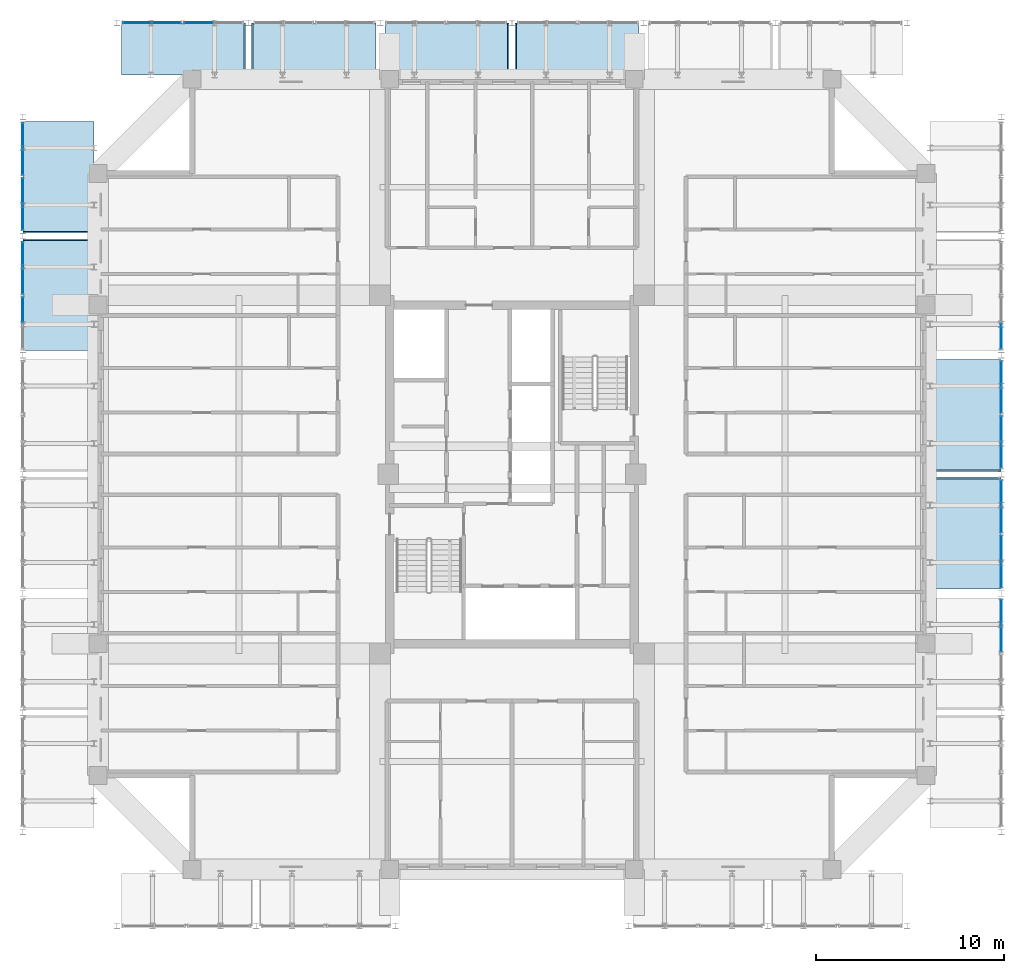
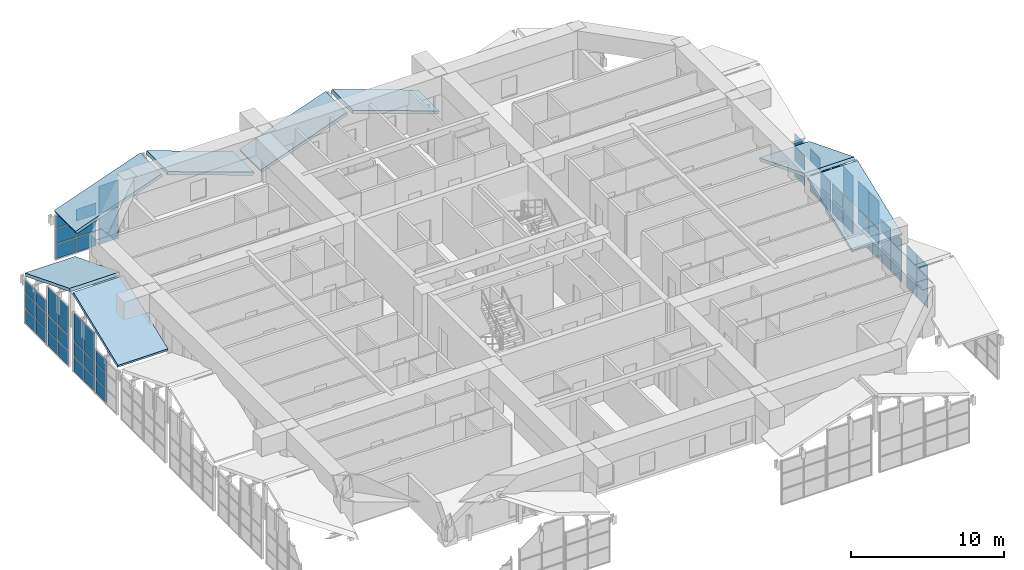
# One storey, part 34 of 45: 63 plates, 8 slabs, 12 elements without a shape of their own.
"""IFC4 building model written with IfcOpenShell, lengths in metres."""

from ifc_helpers import new_model, si_unit, direction, frame, origin, origin_2d, place, context, subcontext, project, spatial, polyline, rectangle, outline, extrude, source, transform, mapped, material, layer, layer_set, type_object, element, aggregate, save


model = new_model("IFC4")

# Units and contexts
model_context = context("Model", 3, precision=1e-05, world=origin(), true_north=direction((0.0, 1.0)))
body_context = subcontext(model_context, "Body", "Model", "MODEL_VIEW")
ifc_project = project(units=[si_unit("LENGTHUNIT", "METRE"), si_unit("AREAUNIT", "SQUARE_METRE"), si_unit("VOLUMEUNIT", "CUBIC_METRE"), si_unit("PLANEANGLEUNIT", "RADIAN"), si_unit("MASSUNIT", "GRAM", prefix="KILO")], contexts=[model_context])

# Site, building, storey
site_placement = place(None, origin())
site = spatial("IfcSite", under=ifc_project, at=site_placement, CompositionType="ELEMENT")
building_placement = place(site_placement, origin())
building = spatial("IfcBuilding", under=site, at=building_placement, Name="Saelheon Loggia Tower", CompositionType="ELEMENT")
storey_placement = place(building_placement, frame((0.0, 0.0, 152.199951171875)))
storey = spatial("IfcBuildingStorey", under=building, at=storey_placement, Name="L48", CompositionType="ELEMENT", Elevation=152.199951171875)

# Slabs
ifc_material_1 = material(Name="Precast Concrete C45/55", Category="concrete")
ifc_layer_1 = layer(ifc_material_1, 0.239990234375)
ifc_layer_set_1 = layer_set([ifc_layer_1], Name="Precast Concrete C45/55")
slab_type = type_object("IfcSlabType", Name="Slab_WaveRoof_240", PredefinedType="ROOF", material=ifc_layer_set_1)
slab_placement = place(storey_placement, frame((12.0, 33.5732421875, 0.544677734375), z_axis=(0.0, -0.36719303315, 0.930144760995), x_axis=(1.0, 0.0, 0.0)))
element("IfcSlab", 1, at=slab_placement, inside=storey, type_object=slab_type, Name="Tier 1 Wave Crest Roof Facet W 05", PredefinedType="ROOF", context=body_context, shape_type="SweptSolid", body=[
    extrude(outline(polyline([(0.0, 0.0), (3.780029296875, 0.0), (3.780029296875, 6.293123253998158), (0.0, 6.293123253998158), (0.0, 0.0)])), origin(), (0.0, 0.0, -1.0), 0.239990234375),
])
for number, where, z_axis, x_axis, name in (
    (2, (12.0, 39.90673828125, 2.85546875), (0.0, 0.36720628368, 0.930139529977), (1.0, 0.0, 0.0), "Tier 1 Wave Crest Roof Facet W 06"),
    (3, (60.219970703125, 20.90673828125, 0.544677734375), (0.0, -0.36720628368, 0.930139529977), (1.0, 0.0, 0.0), "Tier 1 Wave Crest Roof Facet E 03"),
    (4, (60.219970703125, 27.239990234375, 2.85546875), (0.0, 0.36720628368, 0.930139529977), (1.0, 0.0, 0.0), "Tier 1 Wave Crest Roof Facet E 04"),
):
    element("IfcSlab", number, at=place(storey_placement, frame(where, z_axis=z_axis, x_axis=x_axis)), inside=storey, type_object=slab_type, Name=name, PredefinedType="ROOF", context=body_context, shape_type="SweptSolid", body=[
        extrude(outline(polyline([(0.0, 0.0), (3.780029296875, 0.0), (3.780029296875, 6.292896168513408), (0.0, 6.292896168513408), (0.0, 0.0)])), origin(), (0.0, 0.0, -1.0), 0.239990234375),
    ])
for number, where, z_axis, x_axis, name in (
    (5, (17.239990234375, 48.219970703125, 0.53564453125), (-0.336340864736, 0.0, 0.941740315962), (0.0, 1.0, 0.0), "Tier 1 Wave Crest Roof Facet N 01"),
    (6, (24.239990234375, 48.219970703125, 2.8642578125), (0.336340864736, 0.0, 0.941740315962), (0.0, 1.0, 0.0), "Tier 1 Wave Crest Roof Facet N 02"),
    (7, (31.239990234375, 48.219970703125, 0.53564453125), (-0.336340864736, 0.0, 0.941740315962), (0.0, 1.0, 0.0), "Tier 1 Wave Crest Roof Facet N 03"),
    (8, (38.239990234375, 48.219970703125, 2.8642578125), (0.336340864736, 0.0, 0.941740315962), (0.0, 1.0, 0.0), "Tier 1 Wave Crest Roof Facet N 04"),
):
    element("IfcSlab", number, at=place(storey_placement, frame(where, z_axis=z_axis, x_axis=x_axis)), inside=storey, type_object=slab_type, Name=name, PredefinedType="ROOF", context=body_context, shape_type="SweptSolid", body=[
        extrude(outline(polyline([(0.0, 0.0), (2.780029296875, 0.0), (2.780029296875, -6.923373058090642), (0.0, -6.923373058090642), (0.0, 0.0)])), origin(), (0.0, 0.0, -1.0), 0.239990234375),
    ])

# Curtain wall, plate
ifc_material_2 = material(Name="Bronze-Anodised Aluminium and Fritted Ceramic Screen", Category="aluminium")
ifc_layer_2 = layer(ifc_material_2, 0.219970703125)
ifc_layer_set_2 = layer_set([ifc_layer_2], Name="Bronze-Anodised Aluminium and Fritted Ceramic Screen")
curtain_wall_type = type_object("IfcCurtainWallType", Name="CW_CrownScreen", PredefinedType="NOTDEFINED", material=ifc_layer_set_2)
curtain_wall_1_placement = place(storey_placement, origin())
curtain_wall_1 = element("IfcCurtainWall", 9, at=curtain_wall_1_placement, inside=storey, type_object=curtain_wall_type, Name="Tier 1 Wave Crest Glazing W 05-1", PredefinedType="NOTDEFINED")
ifc_material_3 = material(Name="Bronze Ceramic Fritted Spandrel Panel", Category="aluminium")
ifc_layer_3 = layer(ifc_material_3, 0.0380859375)
ifc_layer_set_3 = layer_set([ifc_layer_3], Name="Bronze Ceramic Fritted Spandrel Panel")
plate_type = type_object("IfcPlateType", Name="CW_CrownScreen_Panel", PredefinedType="CURTAIN_PANEL", material=ifc_layer_set_3)
shared_shape_1 = source(origin(), body_context, "Body", "SweptSolid", [
    extrude(rectangle(XDim=1.328369140625, YDim=0.0380859375, at=origin_2d()), origin(), (0.0, 0.0, 1.0), 1.14501953125),
])
plate_1_placement = place(storey_placement, frame((12.0, 35.73583984375, -3.3798828125), z_axis=(0.0, 0.0, 1.0), x_axis=(0.0, 1.0, 0.0)))
plate_1 = element("IfcPlate", 10, at=plate_1_placement, type_object=plate_type, Name="CW6 panel 2.1", PredefinedType="CURTAIN_PANEL", context=body_context, shape_type="MappedRepresentation", body=[
    mapped(shared_shape_1, transform((0.0, 0.0, 0.0), scale=1.0)),
])

# Curtain wall, plates
curtain_wall_2_placement = place(storey_placement, origin())
curtain_wall_2 = element("IfcCurtainWall", 11, at=curtain_wall_2_placement, inside=storey, type_object=curtain_wall_type, Name="Tier 1 Wave Crest Glazing W 05-2", PredefinedType="NOTDEFINED")
plate_2_placement = place(storey_placement, frame((12.0, 37.26416015625, -3.3798828125), z_axis=(0.0, 0.0, 1.0), x_axis=(0.0, 1.0, 0.0)))
plate_2 = element("IfcPlate", 12, at=plate_2_placement, type_object=plate_type, Name="CW6 panel 1.1", PredefinedType="CURTAIN_PANEL", context=body_context, shape_type="MappedRepresentation", body=[
    mapped(shared_shape_1, transform((0.0, 0.0, 0.0), scale=1.0)),
])
plate_3_placement = place(storey_placement, frame((12.0, 38.66259765625, -3.3798828125), z_axis=(0.0, 0.0, 1.0), x_axis=(0.0, 1.0, 0.0)))
plate_3 = element("IfcPlate", 13, at=plate_3_placement, type_object=plate_type, Name="CW6 panel 2.1", PredefinedType="CURTAIN_PANEL", context=body_context, shape_type="MappedRepresentation", body=[
    mapped(shared_shape_1, transform((0.0, 0.0, 0.0), scale=1.0)),
])

curtain_wall_3_placement = place(storey_placement, origin())
curtain_wall_3 = element("IfcCurtainWall", 14, at=curtain_wall_3_placement, inside=storey, type_object=curtain_wall_type, Name="Tier 1 Wave Crest Glazing W 06-1", PredefinedType="NOTDEFINED")
plate_4_placement = place(storey_placement, frame((12.0, 40.6708984375, -3.3798828125), z_axis=(0.0, 0.0, 1.0), x_axis=(0.0, 1.0, 0.0)))
plate_4 = element("IfcPlate", 15, at=plate_4_placement, type_object=plate_type, Name="CW6 panel 1.1", PredefinedType="CURTAIN_PANEL", context=body_context, shape_type="MappedRepresentation", body=[
    mapped(shared_shape_1, transform((0.0, 0.0, 0.0), scale=1.0)),
])
plate_5_placement = place(storey_placement, frame((12.0, 42.069091796875, -3.3798828125), z_axis=(0.0, 0.0, 1.0), x_axis=(0.0, 1.0, 0.0)))
plate_5 = element("IfcPlate", 16, at=plate_5_placement, type_object=plate_type, Name="CW6 panel 2.1", PredefinedType="CURTAIN_PANEL", context=body_context, shape_type="MappedRepresentation", body=[
    mapped(shared_shape_1, transform((0.0, 0.0, 0.0), scale=1.0)),
])

curtain_wall_4_placement = place(storey_placement, origin())
curtain_wall_4 = element("IfcCurtainWall", 17, at=curtain_wall_4_placement, inside=storey, type_object=curtain_wall_type, Name="Tier 1 Wave Crest Glazing W 06-2", PredefinedType="NOTDEFINED")
plate_6_placement = place(storey_placement, frame((12.0, 43.597412109375, -3.3798828125), z_axis=(0.0, 0.0, 1.0), x_axis=(0.0, 1.0, 0.0)))
plate_6 = element("IfcPlate", 18, at=plate_6_placement, type_object=plate_type, Name="CW6 panel 1.1", PredefinedType="CURTAIN_PANEL", context=body_context, shape_type="MappedRepresentation", body=[
    mapped(shared_shape_1, transform((0.0, 0.0, 0.0), scale=1.0)),
])
plate_7_placement = place(storey_placement, frame((12.0, 44.995849609375, -3.3798828125), z_axis=(0.0, 0.0, 1.0), x_axis=(0.0, 1.0, 0.0)))
plate_7 = element("IfcPlate", 19, at=plate_7_placement, type_object=plate_type, Name="CW6 panel 2.1", PredefinedType="CURTAIN_PANEL", context=body_context, shape_type="MappedRepresentation", body=[
    mapped(shared_shape_1, transform((0.0, 0.0, 0.0), scale=1.0)),
])

curtain_wall_5_placement = place(storey_placement, origin())
curtain_wall_5 = element("IfcCurtainWall", 20, at=curtain_wall_5_placement, inside=storey, type_object=curtain_wall_type, Name="Tier 1 Wave Crest Glazing E 02-2", PredefinedType="NOTDEFINED")
plate_8_placement = place(storey_placement, frame((64.0, 18.26416015625, -3.3798828125), z_axis=(0.0, 0.0, 1.0), x_axis=(0.0, 1.0, 0.0)))
plate_8 = element("IfcPlate", 21, at=plate_8_placement, type_object=plate_type, Name="CW6 panel 1.1", PredefinedType="CURTAIN_PANEL", context=body_context, shape_type="MappedRepresentation", body=[
    mapped(shared_shape_1, transform((0.0, 0.0, 0.0), scale=1.0)),
])
plate_9_placement = place(storey_placement, frame((64.0, 19.66259765625, -3.3798828125), z_axis=(0.0, 0.0, 1.0), x_axis=(0.0, 1.0, 0.0)))
plate_9 = element("IfcPlate", 22, at=plate_9_placement, type_object=plate_type, Name="CW6 panel 2.1", PredefinedType="CURTAIN_PANEL", context=body_context, shape_type="MappedRepresentation", body=[
    mapped(shared_shape_1, transform((0.0, 0.0, 0.0), scale=1.0)),
])

curtain_wall_6_placement = place(storey_placement, origin())
curtain_wall_6 = element("IfcCurtainWall", 23, at=curtain_wall_6_placement, inside=storey, type_object=curtain_wall_type, Name="Tier 1 Wave Crest Glazing E 03-1", PredefinedType="NOTDEFINED")
plate_10_placement = place(storey_placement, frame((64.0, 21.6708984375, -3.3798828125), z_axis=(0.0, 0.0, 1.0), x_axis=(0.0, 1.0, 0.0)))
plate_10 = element("IfcPlate", 24, at=plate_10_placement, type_object=plate_type, Name="CW6 panel 1.1", PredefinedType="CURTAIN_PANEL", context=body_context, shape_type="MappedRepresentation", body=[
    mapped(shared_shape_1, transform((0.0, 0.0, 0.0), scale=1.0)),
])
plate_11_placement = place(storey_placement, frame((64.0, 23.069091796875, -3.3798828125), z_axis=(0.0, 0.0, 1.0), x_axis=(0.0, 1.0, 0.0)))
plate_11 = element("IfcPlate", 25, at=plate_11_placement, type_object=plate_type, Name="CW6 panel 2.1", PredefinedType="CURTAIN_PANEL", context=body_context, shape_type="MappedRepresentation", body=[
    mapped(shared_shape_1, transform((0.0, 0.0, 0.0), scale=1.0)),
])

curtain_wall_7_placement = place(storey_placement, origin())
curtain_wall_7 = element("IfcCurtainWall", 26, at=curtain_wall_7_placement, inside=storey, type_object=curtain_wall_type, Name="Tier 1 Wave Crest Glazing E 03-2", PredefinedType="NOTDEFINED")
plate_12_placement = place(storey_placement, frame((64.0, 24.59765625, -3.3798828125), z_axis=(0.0, 0.0, 1.0), x_axis=(0.0, 1.0, 0.0)))
plate_12 = element("IfcPlate", 27, at=plate_12_placement, type_object=plate_type, Name="CW6 panel 1.1", PredefinedType="CURTAIN_PANEL", context=body_context, shape_type="MappedRepresentation", body=[
    mapped(shared_shape_1, transform((0.0, 0.0, 0.0), scale=1.0)),
])
plate_13_placement = place(storey_placement, frame((64.0, 25.995849609375, -3.3798828125), z_axis=(0.0, 0.0, 1.0), x_axis=(0.0, 1.0, 0.0)))
plate_13 = element("IfcPlate", 28, at=plate_13_placement, type_object=plate_type, Name="CW6 panel 2.1", PredefinedType="CURTAIN_PANEL", context=body_context, shape_type="MappedRepresentation", body=[
    mapped(shared_shape_1, transform((0.0, 0.0, 0.0), scale=1.0)),
])

curtain_wall_8_placement = place(storey_placement, origin())
curtain_wall_8 = element("IfcCurtainWall", 29, at=curtain_wall_8_placement, inside=storey, type_object=curtain_wall_type, Name="Tier 1 Wave Crest Glazing E 04-1", PredefinedType="NOTDEFINED")
plate_14_placement = place(storey_placement, frame((64.0, 28.004150390625, -3.3798828125), z_axis=(0.0, 0.0, 1.0), x_axis=(0.0, 1.0, 0.0)))
plate_14 = element("IfcPlate", 30, at=plate_14_placement, type_object=plate_type, Name="CW6 panel 1.1", PredefinedType="CURTAIN_PANEL", context=body_context, shape_type="MappedRepresentation", body=[
    mapped(shared_shape_1, transform((0.0, 0.0, 0.0), scale=1.0)),
])
plate_15_placement = place(storey_placement, frame((64.0, 29.40234375, -3.3798828125), z_axis=(0.0, 0.0, 1.0), x_axis=(0.0, 1.0, 0.0)))
plate_15 = element("IfcPlate", 31, at=plate_15_placement, type_object=plate_type, Name="CW6 panel 2.1", PredefinedType="CURTAIN_PANEL", context=body_context, shape_type="MappedRepresentation", body=[
    mapped(shared_shape_1, transform((0.0, 0.0, 0.0), scale=1.0)),
])

curtain_wall_9_placement = place(storey_placement, origin())
curtain_wall_9 = element("IfcCurtainWall", 32, at=curtain_wall_9_placement, inside=storey, type_object=curtain_wall_type, Name="Tier 1 Wave Crest Glazing E 04-2", PredefinedType="NOTDEFINED")
plate_16_placement = place(storey_placement, frame((64.0, 30.9306640625, -3.3798828125), z_axis=(0.0, 0.0, 1.0), x_axis=(0.0, 1.0, 0.0)))
plate_16 = element("IfcPlate", 33, at=plate_16_placement, type_object=plate_type, Name="CW6 panel 1.1", PredefinedType="CURTAIN_PANEL", context=body_context, shape_type="MappedRepresentation", body=[
    mapped(shared_shape_1, transform((0.0, 0.0, 0.0), scale=1.0)),
])
plate_17_placement = place(storey_placement, frame((64.0, 32.3291015625, -3.3798828125), z_axis=(0.0, 0.0, 1.0), x_axis=(0.0, 1.0, 0.0)))
plate_17 = element("IfcPlate", 34, at=plate_17_placement, type_object=plate_type, Name="CW6 panel 2.1", PredefinedType="CURTAIN_PANEL", context=body_context, shape_type="MappedRepresentation", body=[
    mapped(shared_shape_1, transform((0.0, 0.0, 0.0), scale=1.0)),
])

# Curtain wall, plate
curtain_wall_10_placement = place(storey_placement, origin())
curtain_wall_10 = element("IfcCurtainWall", 35, at=curtain_wall_10_placement, inside=storey, type_object=curtain_wall_type, Name="Tier 1 Wave Crest Glazing E 05-1", PredefinedType="NOTDEFINED")
plate_18_placement = place(storey_placement, frame((64.0, 34.33740234375, -3.3798828125), z_axis=(0.0, 0.0, 1.0), x_axis=(0.0, 1.0, 0.0)))
plate_18 = element("IfcPlate", 36, at=plate_18_placement, type_object=plate_type, Name="CW6 panel 1.1", PredefinedType="CURTAIN_PANEL", context=body_context, shape_type="MappedRepresentation", body=[
    mapped(shared_shape_1, transform((0.0, 0.0, 0.0), scale=1.0)),
])

# Plate
shared_shape_2 = source(origin(), body_context, "Body", "SweptSolid", [
    extrude(rectangle(XDim=1.328369140625, YDim=0.0380859375, at=origin_2d()), origin(), (0.0, 0.0, 1.0), 1.179931640625),
])
plate_19_placement = place(storey_placement, frame((12.0, 35.73583984375, -2.1650390625), z_axis=(0.0, 0.0, 1.0), x_axis=(0.0, 1.0, 0.0)))
plate_19 = element("IfcPlate", 37, at=plate_19_placement, type_object=plate_type, Name="CW6 panel 2.2", PredefinedType="CURTAIN_PANEL", context=body_context, shape_type="MappedRepresentation", body=[
    mapped(shared_shape_2, transform((0.0, 0.0, 0.0), scale=1.0)),
])

plate_20_placement = place(storey_placement, frame((12.0, 37.26416015625, -2.1650390625), z_axis=(0.0, 0.0, 1.0), x_axis=(0.0, 1.0, 0.0)))
plate_20 = element("IfcPlate", 38, at=plate_20_placement, type_object=plate_type, Name="CW6 panel 1.2", PredefinedType="CURTAIN_PANEL", context=body_context, shape_type="MappedRepresentation", body=[
    mapped(shared_shape_2, transform((0.0, 0.0, 0.0), scale=1.0)),
])

plate_21_placement = place(storey_placement, frame((12.0, 38.66259765625, -2.1650390625), z_axis=(0.0, 0.0, 1.0), x_axis=(0.0, 1.0, 0.0)))
plate_21 = element("IfcPlate", 39, at=plate_21_placement, type_object=plate_type, Name="CW6 panel 2.2", PredefinedType="CURTAIN_PANEL", context=body_context, shape_type="MappedRepresentation", body=[
    mapped(shared_shape_2, transform((0.0, 0.0, 0.0), scale=1.0)),
])

plate_22_placement = place(storey_placement, frame((12.0, 40.6708984375, -2.1650390625), z_axis=(0.0, 0.0, 1.0), x_axis=(0.0, 1.0, 0.0)))
plate_22 = element("IfcPlate", 40, at=plate_22_placement, type_object=plate_type, Name="CW6 panel 1.2", PredefinedType="CURTAIN_PANEL", context=body_context, shape_type="MappedRepresentation", body=[
    mapped(shared_shape_2, transform((0.0, 0.0, 0.0), scale=1.0)),
])

plate_23_placement = place(storey_placement, frame((12.0, 42.069091796875, -2.1650390625), z_axis=(0.0, 0.0, 1.0), x_axis=(0.0, 1.0, 0.0)))
plate_23 = element("IfcPlate", 41, at=plate_23_placement, type_object=plate_type, Name="CW6 panel 2.2", PredefinedType="CURTAIN_PANEL", context=body_context, shape_type="MappedRepresentation", body=[
    mapped(shared_shape_2, transform((0.0, 0.0, 0.0), scale=1.0)),
])

plate_24_placement = place(storey_placement, frame((12.0, 43.597412109375, -2.1650390625), z_axis=(0.0, 0.0, 1.0), x_axis=(0.0, 1.0, 0.0)))
plate_24 = element("IfcPlate", 42, at=plate_24_placement, type_object=plate_type, Name="CW6 panel 1.2", PredefinedType="CURTAIN_PANEL", context=body_context, shape_type="MappedRepresentation", body=[
    mapped(shared_shape_2, transform((0.0, 0.0, 0.0), scale=1.0)),
])

plate_25_placement = place(storey_placement, frame((12.0, 44.995849609375, -2.1650390625), z_axis=(0.0, 0.0, 1.0), x_axis=(0.0, 1.0, 0.0)))
plate_25 = element("IfcPlate", 43, at=plate_25_placement, type_object=plate_type, Name="CW6 panel 2.2", PredefinedType="CURTAIN_PANEL", context=body_context, shape_type="MappedRepresentation", body=[
    mapped(shared_shape_2, transform((0.0, 0.0, 0.0), scale=1.0)),
])

plate_26_placement = place(storey_placement, frame((64.0, 18.26416015625, -2.1650390625), z_axis=(0.0, 0.0, 1.0), x_axis=(0.0, 1.0, 0.0)))
plate_26 = element("IfcPlate", 44, at=plate_26_placement, type_object=plate_type, Name="CW6 panel 1.2", PredefinedType="CURTAIN_PANEL", context=body_context, shape_type="MappedRepresentation", body=[
    mapped(shared_shape_2, transform((0.0, 0.0, 0.0), scale=1.0)),
])

plate_27_placement = place(storey_placement, frame((64.0, 19.66259765625, -2.1650390625), z_axis=(0.0, 0.0, 1.0), x_axis=(0.0, 1.0, 0.0)))
plate_27 = element("IfcPlate", 45, at=plate_27_placement, type_object=plate_type, Name="CW6 panel 2.2", PredefinedType="CURTAIN_PANEL", context=body_context, shape_type="MappedRepresentation", body=[
    mapped(shared_shape_2, transform((0.0, 0.0, 0.0), scale=1.0)),
])

plate_28_placement = place(storey_placement, frame((64.0, 21.6708984375, -2.1650390625), z_axis=(0.0, 0.0, 1.0), x_axis=(0.0, 1.0, 0.0)))
plate_28 = element("IfcPlate", 46, at=plate_28_placement, type_object=plate_type, Name="CW6 panel 1.2", PredefinedType="CURTAIN_PANEL", context=body_context, shape_type="MappedRepresentation", body=[
    mapped(shared_shape_2, transform((0.0, 0.0, 0.0), scale=1.0)),
])

plate_29_placement = place(storey_placement, frame((64.0, 23.069091796875, -2.1650390625), z_axis=(0.0, 0.0, 1.0), x_axis=(0.0, 1.0, 0.0)))
plate_29 = element("IfcPlate", 47, at=plate_29_placement, type_object=plate_type, Name="CW6 panel 2.2", PredefinedType="CURTAIN_PANEL", context=body_context, shape_type="MappedRepresentation", body=[
    mapped(shared_shape_2, transform((0.0, 0.0, 0.0), scale=1.0)),
])

plate_30_placement = place(storey_placement, frame((64.0, 24.59765625, -2.1650390625), z_axis=(0.0, 0.0, 1.0), x_axis=(0.0, 1.0, 0.0)))
plate_30 = element("IfcPlate", 48, at=plate_30_placement, type_object=plate_type, Name="CW6 panel 1.2", PredefinedType="CURTAIN_PANEL", context=body_context, shape_type="MappedRepresentation", body=[
    mapped(shared_shape_2, transform((0.0, 0.0, 0.0), scale=1.0)),
])

plate_31_placement = place(storey_placement, frame((64.0, 25.995849609375, -2.1650390625), z_axis=(0.0, 0.0, 1.0), x_axis=(0.0, 1.0, 0.0)))
plate_31 = element("IfcPlate", 49, at=plate_31_placement, type_object=plate_type, Name="CW6 panel 2.2", PredefinedType="CURTAIN_PANEL", context=body_context, shape_type="MappedRepresentation", body=[
    mapped(shared_shape_2, transform((0.0, 0.0, 0.0), scale=1.0)),
])

plate_32_placement = place(storey_placement, frame((64.0, 28.004150390625, -2.1650390625), z_axis=(0.0, 0.0, 1.0), x_axis=(0.0, 1.0, 0.0)))
plate_32 = element("IfcPlate", 50, at=plate_32_placement, type_object=plate_type, Name="CW6 panel 1.2", PredefinedType="CURTAIN_PANEL", context=body_context, shape_type="MappedRepresentation", body=[
    mapped(shared_shape_2, transform((0.0, 0.0, 0.0), scale=1.0)),
])

plate_33_placement = place(storey_placement, frame((64.0, 29.40234375, -2.1650390625), z_axis=(0.0, 0.0, 1.0), x_axis=(0.0, 1.0, 0.0)))
plate_33 = element("IfcPlate", 51, at=plate_33_placement, type_object=plate_type, Name="CW6 panel 2.2", PredefinedType="CURTAIN_PANEL", context=body_context, shape_type="MappedRepresentation", body=[
    mapped(shared_shape_2, transform((0.0, 0.0, 0.0), scale=1.0)),
])

plate_34_placement = place(storey_placement, frame((64.0, 30.9306640625, -2.1650390625), z_axis=(0.0, 0.0, 1.0), x_axis=(0.0, 1.0, 0.0)))
plate_34 = element("IfcPlate", 52, at=plate_34_placement, type_object=plate_type, Name="CW6 panel 1.2", PredefinedType="CURTAIN_PANEL", context=body_context, shape_type="MappedRepresentation", body=[
    mapped(shared_shape_2, transform((0.0, 0.0, 0.0), scale=1.0)),
])

plate_35_placement = place(storey_placement, frame((64.0, 32.3291015625, -2.1650390625), z_axis=(0.0, 0.0, 1.0), x_axis=(0.0, 1.0, 0.0)))
plate_35 = element("IfcPlate", 53, at=plate_35_placement, type_object=plate_type, Name="CW6 panel 2.2", PredefinedType="CURTAIN_PANEL", context=body_context, shape_type="MappedRepresentation", body=[
    mapped(shared_shape_2, transform((0.0, 0.0, 0.0), scale=1.0)),
])

plate_36_placement = place(storey_placement, frame((64.0, 34.33740234375, -2.1650390625), z_axis=(0.0, 0.0, 1.0), x_axis=(0.0, 1.0, 0.0)))
plate_36 = element("IfcPlate", 54, at=plate_36_placement, type_object=plate_type, Name="CW6 panel 1.2", PredefinedType="CURTAIN_PANEL", context=body_context, shape_type="MappedRepresentation", body=[
    mapped(shared_shape_2, transform((0.0, 0.0, 0.0), scale=1.0)),
])

shared_shape_3 = source(origin(), body_context, "Body", "SweptSolid", [
    extrude(rectangle(XDim=1.328369140625, YDim=0.0380859375, at=origin_2d()), origin(), (0.0, 0.0, 1.0), 0.955078125),
])
plate_37_placement = place(storey_placement, frame((12.0, 35.73583984375, -0.9150390625), z_axis=(0.0, 0.0, 1.0), x_axis=(0.0, 1.0, 0.0)))
plate_37 = element("IfcPlate", 55, at=plate_37_placement, type_object=plate_type, Name="CW6 panel 2.3", PredefinedType="CURTAIN_PANEL", context=body_context, shape_type="MappedRepresentation", body=[
    mapped(shared_shape_3, transform((0.0, 0.0, 0.0), scale=1.0)),
])

aggregate(curtain_wall_1, [plate_1, plate_19, plate_37])

plate_38_placement = place(storey_placement, frame((12.0, 43.597412109375, -0.9150390625), z_axis=(0.0, 0.0, 1.0), x_axis=(0.0, 1.0, 0.0)))
plate_38 = element("IfcPlate", 56, at=plate_38_placement, type_object=plate_type, Name="CW6 panel 1.3", PredefinedType="CURTAIN_PANEL", context=body_context, shape_type="MappedRepresentation", body=[
    mapped(shared_shape_3, transform((0.0, 0.0, 0.0), scale=1.0)),
])

plate_39_placement = place(storey_placement, frame((12.0, 44.995849609375, -0.9150390625), z_axis=(0.0, 0.0, 1.0), x_axis=(0.0, 1.0, 0.0)))
plate_39 = element("IfcPlate", 57, at=plate_39_placement, type_object=plate_type, Name="CW6 panel 2.3", PredefinedType="CURTAIN_PANEL", context=body_context, shape_type="MappedRepresentation", body=[
    mapped(shared_shape_3, transform((0.0, 0.0, 0.0), scale=1.0)),
])

aggregate(curtain_wall_4, [plate_6, plate_24, plate_38, plate_7, plate_25, plate_39])

plate_40_placement = place(storey_placement, frame((64.0, 18.26416015625, -0.9150390625), z_axis=(0.0, 0.0, 1.0), x_axis=(0.0, 1.0, 0.0)))
plate_40 = element("IfcPlate", 58, at=plate_40_placement, type_object=plate_type, Name="CW6 panel 1.3", PredefinedType="CURTAIN_PANEL", context=body_context, shape_type="MappedRepresentation", body=[
    mapped(shared_shape_3, transform((0.0, 0.0, 0.0), scale=1.0)),
])

plate_41_placement = place(storey_placement, frame((64.0, 19.66259765625, -0.9150390625), z_axis=(0.0, 0.0, 1.0), x_axis=(0.0, 1.0, 0.0)))
plate_41 = element("IfcPlate", 59, at=plate_41_placement, type_object=plate_type, Name="CW6 panel 2.3", PredefinedType="CURTAIN_PANEL", context=body_context, shape_type="MappedRepresentation", body=[
    mapped(shared_shape_3, transform((0.0, 0.0, 0.0), scale=1.0)),
])

aggregate(curtain_wall_5, [plate_8, plate_26, plate_40, plate_9, plate_27, plate_41])

plate_42_placement = place(storey_placement, frame((64.0, 21.6708984375, -0.9150390625), z_axis=(0.0, 0.0, 1.0), x_axis=(0.0, 1.0, 0.0)))
plate_42 = element("IfcPlate", 60, at=plate_42_placement, type_object=plate_type, Name="CW6 panel 1.3", PredefinedType="CURTAIN_PANEL", context=body_context, shape_type="MappedRepresentation", body=[
    mapped(shared_shape_3, transform((0.0, 0.0, 0.0), scale=1.0)),
])

plate_43_placement = place(storey_placement, frame((64.0, 23.069091796875, -0.9150390625), z_axis=(0.0, 0.0, 1.0), x_axis=(0.0, 1.0, 0.0)))
plate_43 = element("IfcPlate", 61, at=plate_43_placement, type_object=plate_type, Name="CW6 panel 2.3", PredefinedType="CURTAIN_PANEL", context=body_context, shape_type="MappedRepresentation", body=[
    mapped(shared_shape_3, transform((0.0, 0.0, 0.0), scale=1.0)),
])

aggregate(curtain_wall_6, [plate_10, plate_28, plate_42, plate_11, plate_29, plate_43])

plate_44_placement = place(storey_placement, frame((64.0, 30.9306640625, -0.9150390625), z_axis=(0.0, 0.0, 1.0), x_axis=(0.0, 1.0, 0.0)))
plate_44 = element("IfcPlate", 62, at=plate_44_placement, type_object=plate_type, Name="CW6 panel 1.3", PredefinedType="CURTAIN_PANEL", context=body_context, shape_type="MappedRepresentation", body=[
    mapped(shared_shape_3, transform((0.0, 0.0, 0.0), scale=1.0)),
])

plate_45_placement = place(storey_placement, frame((64.0, 32.3291015625, -0.9150390625), z_axis=(0.0, 0.0, 1.0), x_axis=(0.0, 1.0, 0.0)))
plate_45 = element("IfcPlate", 63, at=plate_45_placement, type_object=plate_type, Name="CW6 panel 2.3", PredefinedType="CURTAIN_PANEL", context=body_context, shape_type="MappedRepresentation", body=[
    mapped(shared_shape_3, transform((0.0, 0.0, 0.0), scale=1.0)),
])

aggregate(curtain_wall_9, [plate_16, plate_34, plate_44, plate_17, plate_35, plate_45])

plate_46_placement = place(storey_placement, frame((64.0, 34.33740234375, -0.9150390625), z_axis=(0.0, 0.0, 1.0), x_axis=(0.0, 1.0, 0.0)))
plate_46 = element("IfcPlate", 64, at=plate_46_placement, type_object=plate_type, Name="CW6 panel 1.3", PredefinedType="CURTAIN_PANEL", context=body_context, shape_type="MappedRepresentation", body=[
    mapped(shared_shape_3, transform((0.0, 0.0, 0.0), scale=1.0)),
])

aggregate(curtain_wall_10, [plate_18, plate_36, plate_46])

shared_shape_4 = source(origin(), body_context, "Body", "SweptSolid", [
    extrude(rectangle(XDim=1.328369140625, YDim=0.0380859375, at=origin_2d()), origin(), (0.0, 0.0, 1.0), 2.205078125),
])
plate_47_placement = place(storey_placement, frame((12.0, 37.26416015625, -0.9150390625), z_axis=(0.0, 0.0, 1.0), x_axis=(0.0, 1.0, 0.0)))
plate_47 = element("IfcPlate", 65, at=plate_47_placement, type_object=plate_type, Name="CW6 panel 1.3", PredefinedType="CURTAIN_PANEL", context=body_context, shape_type="MappedRepresentation", body=[
    mapped(shared_shape_4, transform((0.0, 0.0, 0.0), scale=1.0)),
])

plate_48_placement = place(storey_placement, frame((12.0, 38.66259765625, -0.9150390625), z_axis=(0.0, 0.0, 1.0), x_axis=(0.0, 1.0, 0.0)))
plate_48 = element("IfcPlate", 66, at=plate_48_placement, type_object=plate_type, Name="CW6 panel 2.3", PredefinedType="CURTAIN_PANEL", context=body_context, shape_type="MappedRepresentation", body=[
    mapped(shared_shape_4, transform((0.0, 0.0, 0.0), scale=1.0)),
])

aggregate(curtain_wall_2, [plate_2, plate_20, plate_47, plate_3, plate_21, plate_48])

plate_49_placement = place(storey_placement, frame((12.0, 40.6708984375, -0.9150390625), z_axis=(0.0, 0.0, 1.0), x_axis=(0.0, 1.0, 0.0)))
plate_49 = element("IfcPlate", 67, at=plate_49_placement, type_object=plate_type, Name="CW6 panel 1.3", PredefinedType="CURTAIN_PANEL", context=body_context, shape_type="MappedRepresentation", body=[
    mapped(shared_shape_4, transform((0.0, 0.0, 0.0), scale=1.0)),
])

plate_50_placement = place(storey_placement, frame((12.0, 42.069091796875, -0.9150390625), z_axis=(0.0, 0.0, 1.0), x_axis=(0.0, 1.0, 0.0)))
plate_50 = element("IfcPlate", 68, at=plate_50_placement, type_object=plate_type, Name="CW6 panel 2.3", PredefinedType="CURTAIN_PANEL", context=body_context, shape_type="MappedRepresentation", body=[
    mapped(shared_shape_4, transform((0.0, 0.0, 0.0), scale=1.0)),
])

aggregate(curtain_wall_3, [plate_4, plate_22, plate_49, plate_5, plate_23, plate_50])

plate_51_placement = place(storey_placement, frame((64.0, 24.59765625, -0.9150390625), z_axis=(0.0, 0.0, 1.0), x_axis=(0.0, 1.0, 0.0)))
plate_51 = element("IfcPlate", 69, at=plate_51_placement, type_object=plate_type, Name="CW6 panel 1.3", PredefinedType="CURTAIN_PANEL", context=body_context, shape_type="MappedRepresentation", body=[
    mapped(shared_shape_4, transform((0.0, 0.0, 0.0), scale=1.0)),
])

plate_52_placement = place(storey_placement, frame((64.0, 25.995849609375, -0.9150390625), z_axis=(0.0, 0.0, 1.0), x_axis=(0.0, 1.0, 0.0)))
plate_52 = element("IfcPlate", 70, at=plate_52_placement, type_object=plate_type, Name="CW6 panel 2.3", PredefinedType="CURTAIN_PANEL", context=body_context, shape_type="MappedRepresentation", body=[
    mapped(shared_shape_4, transform((0.0, 0.0, 0.0), scale=1.0)),
])

aggregate(curtain_wall_7, [plate_12, plate_30, plate_51, plate_13, plate_31, plate_52])

plate_53_placement = place(storey_placement, frame((64.0, 28.004150390625, -0.9150390625), z_axis=(0.0, 0.0, 1.0), x_axis=(0.0, 1.0, 0.0)))
plate_53 = element("IfcPlate", 71, at=plate_53_placement, type_object=plate_type, Name="CW6 panel 1.3", PredefinedType="CURTAIN_PANEL", context=body_context, shape_type="MappedRepresentation", body=[
    mapped(shared_shape_4, transform((0.0, 0.0, 0.0), scale=1.0)),
])

plate_54_placement = place(storey_placement, frame((64.0, 29.40234375, -0.9150390625), z_axis=(0.0, 0.0, 1.0), x_axis=(0.0, 1.0, 0.0)))
plate_54 = element("IfcPlate", 72, at=plate_54_placement, type_object=plate_type, Name="CW6 panel 2.3", PredefinedType="CURTAIN_PANEL", context=body_context, shape_type="MappedRepresentation", body=[
    mapped(shared_shape_4, transform((0.0, 0.0, 0.0), scale=1.0)),
])

aggregate(curtain_wall_8, [plate_14, plate_32, plate_53, plate_15, plate_33, plate_54])

# Curtain wall, plates
curtain_wall_11_placement = place(storey_placement, origin())
curtain_wall_11 = element("IfcCurtainWall", 73, at=curtain_wall_11_placement, inside=storey, type_object=curtain_wall_type, Name="Tier 1 Wave Crest Glazing N 01-1", PredefinedType="NOTDEFINED")
shared_shape_5 = source(origin(), body_context, "Body", "SweptSolid", [
    extrude(rectangle(XDim=1.4951171875, YDim=0.0380859375, at=origin_2d()), origin(), (0.0, 0.0, 1.0), 1.14501953125),
])
plate_55_placement = place(storey_placement, frame((18.08740234375, 51.0, -3.3798828125), z_axis=(0.0, 0.0, 1.0), x_axis=(1.0, 0.0, 0.0)))
plate_55 = element("IfcPlate", 74, at=plate_55_placement, type_object=plate_type, Name="CW6 panel 1.1", PredefinedType="CURTAIN_PANEL", context=body_context, shape_type="MappedRepresentation", body=[
    mapped(shared_shape_5, transform((0.0, 0.0, 0.0), scale=1.0)),
])
plate_56_placement = place(storey_placement, frame((19.652587890625, 51.0, -3.3798828125), z_axis=(0.0, 0.0, 1.0), x_axis=(1.0, 0.0, 0.0)))
plate_56 = element("IfcPlate", 75, at=plate_56_placement, type_object=plate_type, Name="CW6 panel 2.1", PredefinedType="CURTAIN_PANEL", context=body_context, shape_type="MappedRepresentation", body=[
    mapped(shared_shape_5, transform((0.0, 0.0, 0.0), scale=1.0)),
])

# Curtain wall, plate
curtain_wall_12_placement = place(storey_placement, origin())
curtain_wall_12 = element("IfcCurtainWall", 76, at=curtain_wall_12_placement, inside=storey, type_object=curtain_wall_type, Name="Tier 1 Wave Crest Glazing N 01-2", PredefinedType="NOTDEFINED")
plate_57_placement = place(storey_placement, frame((21.347412109375, 51.0, -3.3798828125), z_axis=(0.0, 0.0, 1.0), x_axis=(1.0, 0.0, 0.0)))
plate_57 = element("IfcPlate", 77, at=plate_57_placement, type_object=plate_type, Name="CW6 panel 1.1", PredefinedType="CURTAIN_PANEL", context=body_context, shape_type="MappedRepresentation", body=[
    mapped(shared_shape_5, transform((0.0, 0.0, 0.0), scale=1.0)),
])

# Plate
shared_shape_6 = source(origin(), body_context, "Body", "SweptSolid", [
    extrude(rectangle(XDim=1.4951171875, YDim=0.0380859375, at=origin_2d()), origin(), (0.0, 0.0, 1.0), 1.179931640625),
])
plate_58_placement = place(storey_placement, frame((18.08740234375, 51.0, -2.1650390625), z_axis=(0.0, 0.0, 1.0), x_axis=(1.0, 0.0, 0.0)))
plate_58 = element("IfcPlate", 78, at=plate_58_placement, type_object=plate_type, Name="CW6 panel 1.2", PredefinedType="CURTAIN_PANEL", context=body_context, shape_type="MappedRepresentation", body=[
    mapped(shared_shape_6, transform((0.0, 0.0, 0.0), scale=1.0)),
])

plate_59_placement = place(storey_placement, frame((19.652587890625, 51.0, -2.1650390625), z_axis=(0.0, 0.0, 1.0), x_axis=(1.0, 0.0, 0.0)))
plate_59 = element("IfcPlate", 79, at=plate_59_placement, type_object=plate_type, Name="CW6 panel 2.2", PredefinedType="CURTAIN_PANEL", context=body_context, shape_type="MappedRepresentation", body=[
    mapped(shared_shape_6, transform((0.0, 0.0, 0.0), scale=1.0)),
])

plate_60_placement = place(storey_placement, frame((21.347412109375, 51.0, -2.1650390625), z_axis=(0.0, 0.0, 1.0), x_axis=(1.0, 0.0, 0.0)))
plate_60 = element("IfcPlate", 80, at=plate_60_placement, type_object=plate_type, Name="CW6 panel 1.2", PredefinedType="CURTAIN_PANEL", context=body_context, shape_type="MappedRepresentation", body=[
    mapped(shared_shape_6, transform((0.0, 0.0, 0.0), scale=1.0)),
])

shared_shape_7 = source(origin(), body_context, "Body", "SweptSolid", [
    extrude(rectangle(XDim=1.4951171875, YDim=0.0380859375, at=origin_2d()), origin(), (0.0, 0.0, 1.0), 0.955078125),
])
plate_61_placement = place(storey_placement, frame((18.08740234375, 51.0, -0.9150390625), z_axis=(0.0, 0.0, 1.0), x_axis=(1.0, 0.0, 0.0)))
plate_61 = element("IfcPlate", 81, at=plate_61_placement, type_object=plate_type, Name="CW6 panel 1.3", PredefinedType="CURTAIN_PANEL", context=body_context, shape_type="MappedRepresentation", body=[
    mapped(shared_shape_7, transform((0.0, 0.0, 0.0), scale=1.0)),
])

plate_62_placement = place(storey_placement, frame((19.652587890625, 51.0, -0.9150390625), z_axis=(0.0, 0.0, 1.0), x_axis=(1.0, 0.0, 0.0)))
plate_62 = element("IfcPlate", 82, at=plate_62_placement, type_object=plate_type, Name="CW6 panel 2.3", PredefinedType="CURTAIN_PANEL", context=body_context, shape_type="MappedRepresentation", body=[
    mapped(shared_shape_7, transform((0.0, 0.0, 0.0), scale=1.0)),
])

aggregate(curtain_wall_11, [plate_55, plate_58, plate_61, plate_56, plate_59, plate_62])

shared_shape_8 = source(origin(), body_context, "Body", "SweptSolid", [
    extrude(rectangle(XDim=1.4951171875, YDim=0.0380859375, at=origin_2d()), origin(), (0.0, 0.0, 1.0), 2.205078125),
])
plate_63_placement = place(storey_placement, frame((21.347412109375, 51.0, -0.9150390625), z_axis=(0.0, 0.0, 1.0), x_axis=(1.0, 0.0, 0.0)))
plate_63 = element("IfcPlate", 83, at=plate_63_placement, type_object=plate_type, Name="CW6 panel 1.3", PredefinedType="CURTAIN_PANEL", context=body_context, shape_type="MappedRepresentation", body=[
    mapped(shared_shape_8, transform((0.0, 0.0, 0.0), scale=1.0)),
])

aggregate(curtain_wall_12, [plate_57, plate_60, plate_63])

save(model, "model.ifc")
